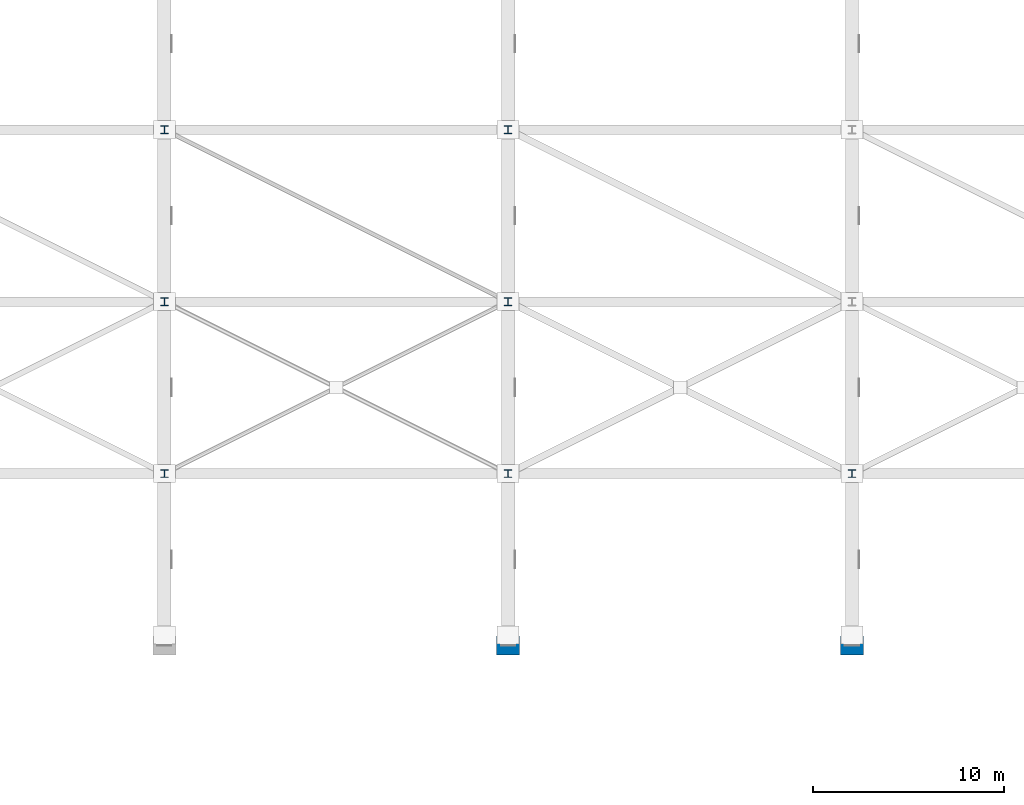
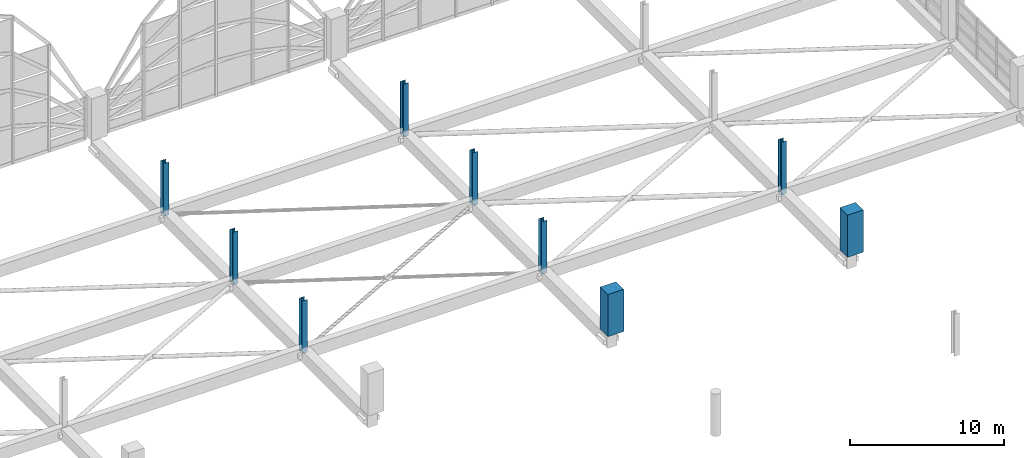
# One storey, part 8 of 116: 9 columns.
"""IFC4 building model written with IfcOpenShell, lengths in metres."""

from ifc_helpers import new_model, si_unit, direction, frame, origin, origin_2d, place, context, subcontext, project, spatial, rectangle, i_section, extrude, material, material_profile, profile_set, type_object, element, save


model = new_model("IFC4")

# Units and contexts
model_context = context("Model", 3, precision=1e-05, world=origin(), true_north=direction((0.0, 1.0)))
body_context = subcontext(model_context, "Body", "Model", "MODEL_VIEW")
ifc_project = project(units=[si_unit("LENGTHUNIT", "METRE"), si_unit("AREAUNIT", "SQUARE_METRE"), si_unit("VOLUMEUNIT", "CUBIC_METRE"), si_unit("PLANEANGLEUNIT", "RADIAN"), si_unit("MASSUNIT", "GRAM", prefix="KILO")], contexts=[model_context])

# Site, building, storey
site_placement = place(None, origin())
site = spatial("IfcSite", under=ifc_project, at=site_placement, CompositionType="ELEMENT")
building_placement = place(site_placement, origin())
building = spatial("IfcBuilding", under=site, at=building_placement, Name="Chuanluo Vaults Station", CompositionType="ELEMENT")
storey_placement = place(building_placement, frame((0.0, 0.0, 10.800048828125)))
storey = spatial("IfcBuildingStorey", under=building, at=storey_placement, Name="L02", CompositionType="ELEMENT", Elevation=10.800048828125)

# Columns
ifc_material_1 = material(Name="Concrete C50", Category="concrete")
ifc_material_profile_1 = material_profile(ifc_material_1, rectangle(XDim=1.199951171875, YDim=1.0, at=origin_2d()))
ifc_profile_set_1 = profile_set([ifc_material_profile_1], Name="Concrete C50")
column_type_1 = type_object("IfcColumnType", Name="COL-SRC-1200x1000", PredefinedType="COLUMN", material=ifc_profile_set_1)
for number, where, z_axis, x_axis, name in (
    (1, (90.0, 67.5, 0.0), (0.0, 0.0, 1.0), (1.0, 0.0, 0.0), "Column L02-058"),
    (2, (108.0, 67.5, 0.0), (0.0, 0.0, 1.0), (1.0, 0.0, 0.0), "Column L02-066"),
):
    element("IfcColumn", number, at=place(storey_placement, frame(where, z_axis=z_axis, x_axis=x_axis)), inside=storey, type_object=column_type_1, Name=name, PredefinedType="COLUMN", context=body_context, shape_type="SweptSolid", body=[
        extrude(rectangle(XDim=1.199951171875, YDim=1.0, at=origin_2d()), origin(), (0.0, 0.0, 1.0), 3.349853515625),
    ])
ifc_material_2 = material(Name="Steel Q355C", Category="steel")
ifc_material_profile_2 = material_profile(ifc_material_2, i_section(OverallWidth=0.39990234375, OverallDepth=0.407958984375, WebThickness=0.02099609375, FlangeThickness=0.02099609375, FilletRadius=0.02197265625, at=origin_2d()))
ifc_profile_set_2 = profile_set([ifc_material_profile_2], Name="Steel Q355C")
column_type_2 = type_object("IfcColumnType", Name="COL-STL-HW408", PredefinedType="COLUMN", material=ifc_profile_set_2)
for number, where, z_axis, x_axis, name in (
    (3, (72.0, 76.5, -0.85009765625), (0.0, 0.0, 1.0), (1.0, 0.0, 0.0), "Over-track vault pedestal 5-76"),
    (4, (72.0, 85.5, -0.85009765625), (0.0, 0.0, 1.0), (1.0, 0.0, 0.0), "Over-track vault pedestal 5-85"),
    (5, (72.0, 94.5, -0.85009765625), (0.0, 0.0, 1.0), (1.0, 0.0, 0.0), "Over-track vault pedestal 5-94"),
    (6, (90.0, 76.5, -0.85009765625), (0.0, 0.0, 1.0), (1.0, 0.0, 0.0), "Over-track vault pedestal 6-76"),
    (7, (90.0, 85.5, -0.85009765625), (0.0, 0.0, 1.0), (1.0, 0.0, 0.0), "Over-track vault pedestal 6-85"),
    (8, (90.0, 94.5, -0.85009765625), (0.0, 0.0, 1.0), (1.0, 0.0, 0.0), "Over-track vault pedestal 6-94"),
    (9, (108.0, 76.5, -0.85009765625), (0.0, 0.0, 1.0), (1.0, 0.0, 0.0), "Over-track vault pedestal 7-76"),
):
    element("IfcColumn", number, at=place(storey_placement, frame(where, z_axis=z_axis, x_axis=x_axis)), inside=storey, type_object=column_type_2, Name=name, PredefinedType="COLUMN", context=body_context, shape_type="SweptSolid", body=[
        extrude(i_section(OverallWidth=0.39990234375, OverallDepth=0.407958984375, WebThickness=0.02099609375, FlangeThickness=0.02099609375, FilletRadius=0.02197265625, at=origin_2d()), origin(), (0.0, 0.0, 1.0), 4.199951171875),
    ])

save(model, "model.ifc")
